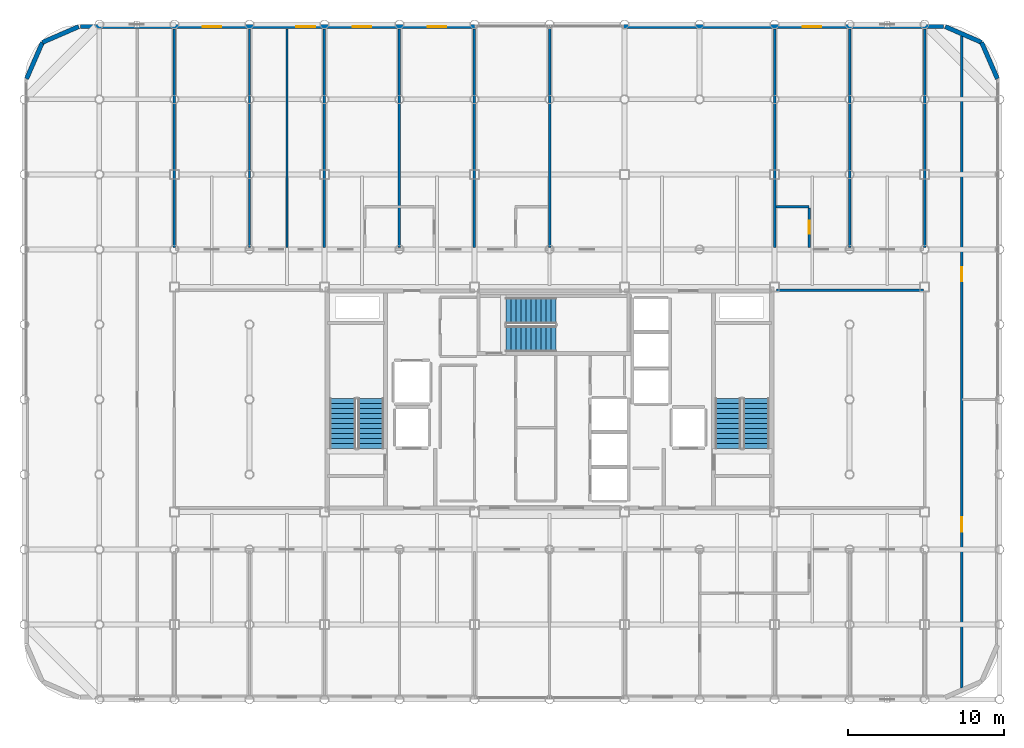
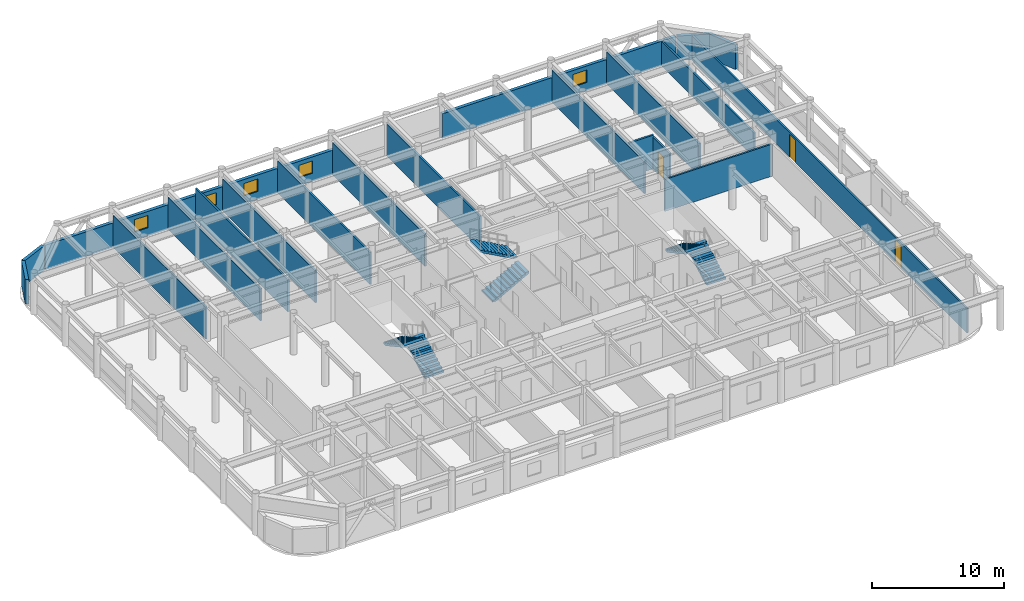
# One storey, part 21 of 22: 20 walls, 6 stair flights, 5 windows, 3 doors, 8 openings, 3 elements without a shape of their own.
"""IFC4 building model written with IfcOpenShell, lengths in metres."""

from ifc_helpers import new_model, si_unit, direction, frame, frame_2d, origin, place, context, subcontext, project, spatial, polyline, rectangle, outline, extrude, material, layer, layer_set, type_object, element, fill, aggregate, save


model = new_model("IFC4")

# Units and contexts
model_context = context("Model", 3, precision=1e-05, world=origin(), true_north=direction((0.0, 1.0)))
body_context = subcontext(model_context, "Body", "Model", "MODEL_VIEW")
ifc_project = project(units=[si_unit("LENGTHUNIT", "METRE"), si_unit("AREAUNIT", "SQUARE_METRE"), si_unit("VOLUMEUNIT", "CUBIC_METRE"), si_unit("PLANEANGLEUNIT", "RADIAN"), si_unit("MASSUNIT", "GRAM", prefix="KILO")], contexts=[model_context])

# Site, building, storey
site_placement = place(None, origin())
site = spatial("IfcSite", under=ifc_project, at=site_placement, CompositionType="ELEMENT")
building_placement = place(site_placement, origin())
building = spatial("IfcBuilding", under=site, at=building_placement, Name="Kallvorn Hotel Tower", CompositionType="ELEMENT")
storey_placement = place(building_placement, frame((0.0, 0.0, 256.949951171875)))
storey = spatial("IfcBuildingStorey", under=building, at=storey_placement, Name="L64", CompositionType="ELEMENT", Elevation=256.949951171875)

# Walls
ifc_material_1 = material(Name="Fire-rated double-layer acoustic gypsum drywall EI 60")
ifc_layer_1 = layer(ifc_material_1, 0.159912109375)
ifc_layer_set_1 = layer_set([ifc_layer_1], Name="WL_DEMISE_160")
wall_type_1 = type_object("IfcWallType", Name="WL_DEMISE_160", PredefinedType="PARTITIONING", material=ifc_layer_set_1)
wall_1_placement = place(storey_placement, frame((14.47998046875, 12.320068359375, 0.0), z_axis=(0.0, 0.0, 1.0), x_axis=(1.0, 0.0, 0.0)))
element("IfcWall", 1, at=wall_1_placement, inside=storey, type_object=wall_type_1, Name="L64 Suite 6406 Standard Twin Room Partition", PredefinedType="PARTITIONING", context=body_context, shape_type="SweptSolid", body=[
    extrude(rectangle(XDim=2.130126953125, YDim=0.159912109375, at=frame_2d((1.06494140625, 0.0))), origin(), (0.0, 0.0, 1.0), 3.1201171875),
])
for number, where, z_axis, x_axis, name in (
    (2, (-14.39990234375, 9.719970703125, 0.0), (0.0, 0.0, 1.0), (0.0, 1.0, 0.0), "L64 Suite 6403 Standard Twin Room Partition"),
    (3, (-9.60009765625, 9.719970703125, 0.0), (0.0, 0.0, 1.0), (0.0, 1.0, 0.0), "L64 Suite 6403 Standard Twin Room Partition"),
    (4, (-4.800048828125, 9.719970703125, 0.0), (0.0, 0.0, 1.0), (0.0, 1.0, 0.0), "L64 Suite 6404 Standard Twin Room Partition"),
):
    element("IfcWall", number, at=place(storey_placement, frame(where, z_axis=z_axis, x_axis=x_axis)), inside=storey, type_object=wall_type_1, Name=name, PredefinedType="PARTITIONING", context=body_context, shape_type="SweptSolid", body=[
        extrude(rectangle(XDim=13.989990234375, YDim=0.159912109375, at=frame_2d((6.9951171875, 0.0))), origin(), (0.0, 0.0, 1.0), 2.969970703125),
    ])
wall_2_placement = place(storey_placement, frame((0.0, 9.719970703125, 0.0), z_axis=(0.0, 0.0, 1.0), x_axis=(0.0, 1.0, 0.0)))
element("IfcWall", 5, at=wall_2_placement, inside=storey, type_object=wall_type_1, Name="L64 Suite 6405 Standard Twin Room Partition", PredefinedType="PARTITIONING", context=body_context, shape_type="SweptSolid", body=[
    extrude(rectangle(XDim=14.074951171875, YDim=0.159912109375, at=frame_2d((7.03759765625, 0.0))), origin(), (0.0, 0.0, 1.0), 2.969970703125),
])
wall_3_placement = place(storey_placement, frame((14.39990234375, 9.719970703125, 0.0), z_axis=(0.0, 0.0, 1.0), x_axis=(0.0, 1.0, 0.0)))
element("IfcWall", 6, at=wall_3_placement, inside=storey, type_object=wall_type_1, Name="L64 Suite 6406 Standard Twin Room Partition", PredefinedType="PARTITIONING", context=body_context, shape_type="SweptSolid", body=[
    extrude(rectangle(XDim=13.989990234375, YDim=0.159912109375, at=frame_2d((6.9951171875, 0.0))), origin(), (0.0, 0.0, 1.0), 2.969970703125),
])

# Wall, opening, door
wall_4_placement = place(storey_placement, frame((16.610107421875, 9.719970703125, 0.0), z_axis=(0.0, 0.0, 1.0), x_axis=(0.0, 1.0, 0.0)))
wall_4 = element("IfcWall", 7, at=wall_4_placement, inside=storey, type_object=wall_type_1, Name="L64 Suite 6406 Standard Twin Room Partition", PredefinedType="PARTITIONING", context=body_context, shape_type="SweptSolid", body=[
    extrude(rectangle(XDim=2.51513671875, YDim=0.159912109375, at=frame_2d((1.257568359375, 0.0))), origin(), (0.0, 0.0, 1.0), 2.969970703125),
])
opening_1_placement = place(wall_4_placement, frame((0.8701171875, 0.0, 0.0)))
opening_1 = element("IfcOpeningElement", 8, at=opening_1_placement, cuts=wall_4, Name="Opening BD-I", PredefinedType="OPENING", context=body_context, shape_type="SweptSolid", body=[
    extrude(rectangle(XDim=0.860107421875, YDim=2.10009765625, at=frame_2d((0.43017578125, 1.050048828125))), frame((0.0, 0.094970703125, 0.0), z_axis=(0.0, -1.0, 0.0), x_axis=(1.0, 0.0, 0.0)), (0.0, 0.0, 1.0), 0.18994140625),
])
ifc_material_2 = material(Name="Solid-core walnut veneer fire-rated timber door leaf", Category="wood")
door_type_1 = type_object("IfcDoorType", Name="DR_BATH_860x2100", OperationType="NOTDEFINED", PredefinedType="DOOR", material=ifc_material_2)
door_1_placement = place(opening_1_placement, origin())
door_1 = element("IfcDoor", 9, at=door_1_placement, inside=storey, type_object=door_type_1, Name="L64 Suite 6406 En-Suite Bathroom Door", OperationType="SINGLE_SWING_RIGHT", OverallHeight=2.10009765625, OverallWidth=0.860107421875, PredefinedType="DOOR", context=body_context, shape_type="SweptSolid", body=[
    extrude(rectangle(XDim=0.860107421875, YDim=2.10009765625, at=frame_2d((0.43017578125, 1.050048828125))), frame((0.0, 0.02490234375, 0.0), z_axis=(0.0, -1.0, 0.0), x_axis=(1.0, 0.0, 0.0)), (0.0, 0.0, 1.0), 0.050048828125),
])
fill(opening_1, door_1)

# Walls
wall_5_placement = place(storey_placement, frame((19.199951171875, 9.719970703125, 0.0), z_axis=(0.0, 0.0, 1.0), x_axis=(0.0, 1.0, 0.0)))
element("IfcWall", 10, at=wall_5_placement, inside=storey, type_object=wall_type_1, Name="L64 Suite 6406 Standard Twin Room Partition", PredefinedType="PARTITIONING", context=body_context, shape_type="SweptSolid", body=[
    extrude(rectangle(XDim=13.989990234375, YDim=0.159912109375, at=frame_2d((6.9951171875, 0.0))), origin(), (0.0, 0.0, 1.0), 2.969970703125),
])
ifc_material_3 = material(Name="Precast basalt-clad insulated concrete wall C40/50", Category="masonry")
ifc_layer_2 = layer(ifc_material_3, 0.280029296875)
ifc_layer_set_2 = layer_set([ifc_layer_2], Name="WL_EXT_LOGGIA_280")
wall_type_2 = type_object("IfcWallType", Name="WL_EXT_LOGGIA_280", PredefinedType="SOLIDWALL", material=ifc_layer_set_2)
wall_6_placement = place(storey_placement, frame((28.657958984375, 20.520751953125, 0.0), z_axis=(0.0, 0.0, 1.0), x_axis=(-0.398792985289, 0.917040977756, 0.0)))
element("IfcWall", 11, at=wall_6_placement, inside=storey, type_object=wall_type_2, Name="L64 Rounded Corner Exterior Wall NE1", PredefinedType="SOLIDWALL", context=body_context, shape_type="SweptSolid", body=[
    extrude(rectangle(XDim=2.536376953125, YDim=0.280029296875, at=frame_2d((1.26806640625, 0.0))), origin(), (0.0, 0.0, 1.0), 2.27001953125),
])
for number, where, z_axis, x_axis, name in (
    (12, (27.646484375, 22.8466796875, 0.0), (0.0, 0.0, 1.0), (-0.917060872934, 0.398747232384, 0.0), "L64 Rounded Corner Exterior Wall NE2"),
    (13, (-30.120849609375, 23.85791015625, 0.0), (0.0, 0.0, 1.0), (-0.917060872934, -0.398747232384, 0.0), "L64 Rounded Corner Exterior Wall NW1"),
):
    element("IfcWall", number, at=place(storey_placement, frame(where, z_axis=z_axis, x_axis=x_axis)), inside=storey, type_object=wall_type_2, Name=name, PredefinedType="SOLIDWALL", context=body_context, shape_type="SweptSolid", body=[
        extrude(rectangle(XDim=2.5361328125, YDim=0.280029296875, at=frame_2d((1.26806640625, 0.0))), origin(), (0.0, 0.0, 1.0), 2.27001953125),
    ])
wall_7_placement = place(storey_placement, frame((-32.446533203125, 22.8466796875, 0.0), z_axis=(0.0, 0.0, 1.0), x_axis=(-0.398792985289, -0.917040977756, 0.0)))
element("IfcWall", 14, at=wall_7_placement, inside=storey, type_object=wall_type_2, Name="L64 Rounded Corner Exterior Wall NW2", PredefinedType="SOLIDWALL", context=body_context, shape_type="SweptSolid", body=[
    extrude(rectangle(XDim=2.536376953125, YDim=0.280029296875, at=frame_2d((1.26806640625, 0.0))), origin(), (0.0, 0.0, 1.0), 2.27001953125),
])

# Wall, openings, windows
wall_8_placement = place(storey_placement, frame((-30.0, 23.860107421875, 0.0), z_axis=(0.0, 0.0, 1.0), x_axis=(1.0, 0.0, 0.0)))
wall_8 = element("IfcWall", 15, at=wall_8_placement, inside=storey, type_object=wall_type_2, Name="L64 Exterior Envelope Wall EW-L64-NW", PredefinedType="SOLIDWALL", context=body_context, shape_type="SweptSolid", body=[
    extrude(rectangle(XDim=25.25, YDim=0.280029296875, at=frame_2d((12.625, 0.0))), origin(), (0.0, 0.0, 1.0), 2.27001953125),
])
opening_2_placement = place(wall_8_placement, frame((7.800048828125, 0.0, 0.75)))
opening_2 = element("IfcOpeningElement", 16, at=opening_2_placement, cuts=wall_8, Name="Opening W06A", PredefinedType="OPENING", context=body_context, shape_type="SweptSolid", body=[
    extrude(rectangle(XDim=1.199951171875, YDim=1.14990234375, at=frame_2d((0.60009765625, 0.574951171875))), frame((0.0, 0.155029296875, 0.0), z_axis=(0.0, -1.0, 0.0), x_axis=(1.0, 0.0, 0.0)), (0.0, 0.0, 1.0), 0.31005859375),
])
opening_3_placement = place(wall_8_placement, frame((13.800048828125, 0.0, 0.75)))
opening_3 = element("IfcOpeningElement", 17, at=opening_3_placement, cuts=wall_8, Name="Opening W06A", PredefinedType="OPENING", context=body_context, shape_type="SweptSolid", body=[
    extrude(rectangle(XDim=1.199951171875, YDim=1.14990234375, at=frame_2d((0.60009765625, 0.574951171875))), frame((0.0, 0.155029296875, 0.0), z_axis=(0.0, -1.0, 0.0), x_axis=(1.0, 0.0, 0.0)), (0.0, 0.0, 1.0), 0.31005859375),
])
opening_4_placement = place(wall_8_placement, frame((17.39990234375, 0.0, 0.75)))
opening_4 = element("IfcOpeningElement", 18, at=opening_4_placement, cuts=wall_8, Name="Opening W06A", PredefinedType="OPENING", context=body_context, shape_type="SweptSolid", body=[
    extrude(rectangle(XDim=1.199951171875, YDim=1.14990234375, at=frame_2d((0.60009765625, 0.574951171875))), frame((0.0, 0.155029296875, 0.0), z_axis=(0.0, -1.0, 0.0), x_axis=(1.0, 0.0, 0.0)), (0.0, 0.0, 1.0), 0.31005859375),
])
opening_5_placement = place(wall_8_placement, frame((22.199951171875, 0.0, 0.75)))
opening_5 = element("IfcOpeningElement", 19, at=opening_5_placement, cuts=wall_8, Name="Opening W06A", PredefinedType="OPENING", context=body_context, shape_type="SweptSolid", body=[
    extrude(rectangle(XDim=1.199951171875, YDim=1.14990234375, at=frame_2d((0.60009765625, 0.574951171875))), frame((0.0, 0.155029296875, 0.0), z_axis=(0.0, -1.0, 0.0), x_axis=(1.0, 0.0, 0.0)), (0.0, 0.0, 1.0), 0.31005859375),
])
ifc_material_4 = material(Name="Triple-glazed low-e acoustic solar-control dark glass", Category="glass")
window_type = type_object("IfcWindowType", Name="WN_HTL_1200x1150", PartitioningType="SINGLE_PANEL", PredefinedType="WINDOW", material=ifc_material_4)
window_1_placement = place(opening_2_placement, origin())
window_1 = element("IfcWindow", 20, at=window_1_placement, inside=storey, type_object=window_type, Name="L64 Guestroom Exterior Window 02", OverallHeight=1.14990234375, OverallWidth=1.199951171875, PartitioningType="SINGLE_PANEL", PredefinedType="WINDOW", context=body_context, shape_type="SweptSolid", body=[
    extrude(rectangle(XDim=1.199951171875, YDim=1.14990234375, at=frame_2d((0.60009765625, 0.574951171875))), frame((0.0, 0.030029296875, 0.0), z_axis=(0.0, -1.0, 0.0), x_axis=(1.0, 0.0, 0.0)), (0.0, 0.0, 1.0), 0.06005859375),
])
fill(opening_2, window_1)
window_2_placement = place(opening_3_placement, origin())
window_2 = element("IfcWindow", 21, at=window_2_placement, inside=storey, type_object=window_type, Name="L64 Guestroom Exterior Window 10", OverallHeight=1.14990234375, OverallWidth=1.199951171875, PartitioningType="SINGLE_PANEL", PredefinedType="WINDOW", context=body_context, shape_type="SweptSolid", body=[
    extrude(rectangle(XDim=1.199951171875, YDim=1.14990234375, at=frame_2d((0.60009765625, 0.574951171875))), frame((0.0, 0.030029296875, 0.0), z_axis=(0.0, -1.0, 0.0), x_axis=(1.0, 0.0, 0.0)), (0.0, 0.0, 1.0), 0.06005859375),
])
fill(opening_3, window_2)
window_3_placement = place(opening_4_placement, origin())
window_3 = element("IfcWindow", 22, at=window_3_placement, inside=storey, type_object=window_type, Name="L64 Guestroom Exterior Window 11", OverallHeight=1.14990234375, OverallWidth=1.199951171875, PartitioningType="SINGLE_PANEL", PredefinedType="WINDOW", context=body_context, shape_type="SweptSolid", body=[
    extrude(rectangle(XDim=1.199951171875, YDim=1.14990234375, at=frame_2d((0.60009765625, 0.574951171875))), frame((0.0, 0.030029296875, 0.0), z_axis=(0.0, -1.0, 0.0), x_axis=(1.0, 0.0, 0.0)), (0.0, 0.0, 1.0), 0.06005859375),
])
fill(opening_4, window_3)
window_4_placement = place(opening_5_placement, origin())
window_4 = element("IfcWindow", 23, at=window_4_placement, inside=storey, type_object=window_type, Name="L64 Guestroom Exterior Window 12", OverallHeight=1.14990234375, OverallWidth=1.199951171875, PartitioningType="SINGLE_PANEL", PredefinedType="WINDOW", context=body_context, shape_type="SweptSolid", body=[
    extrude(rectangle(XDim=1.199951171875, YDim=1.14990234375, at=frame_2d((0.60009765625, 0.574951171875))), frame((0.0, 0.030029296875, 0.0), z_axis=(0.0, -1.0, 0.0), x_axis=(1.0, 0.0, 0.0)), (0.0, 0.0, 1.0), 0.06005859375),
])
fill(opening_5, window_4)

# Wall, opening, window
wall_9_placement = place(storey_placement, frame((4.75, 23.860107421875, 0.0), z_axis=(0.0, 0.0, 1.0), x_axis=(1.0, 0.0, 0.0)))
wall_9 = element("IfcWall", 24, at=wall_9_placement, inside=storey, type_object=wall_type_2, Name="L64 Exterior Envelope Wall EW-L64-NE", PredefinedType="SOLIDWALL", context=body_context, shape_type="SweptSolid", body=[
    extrude(rectangle(XDim=20.449951171875, YDim=0.280029296875, at=frame_2d((10.22509765625, 0.0))), origin(), (0.0, 0.0, 1.0), 2.27001953125),
])
opening_6_placement = place(wall_9_placement, frame((11.449951171875, 0.0, 0.75)))
opening_6 = element("IfcOpeningElement", 25, at=opening_6_placement, cuts=wall_9, Name="Opening W06A", PredefinedType="OPENING", context=body_context, shape_type="SweptSolid", body=[
    extrude(rectangle(XDim=1.199951171875, YDim=1.14990234375, at=frame_2d((0.60009765625, 0.574951171875))), frame((0.0, 0.155029296875, 0.0), z_axis=(0.0, -1.0, 0.0), x_axis=(1.0, 0.0, 0.0)), (0.0, 0.0, 1.0), 0.31005859375),
])
window_5_placement = place(opening_6_placement, origin())
window_5 = element("IfcWindow", 26, at=window_5_placement, inside=storey, type_object=window_type, Name="L64 Guestroom Exterior Window 13", OverallHeight=1.14990234375, OverallWidth=1.199951171875, PartitioningType="SINGLE_PANEL", PredefinedType="WINDOW", context=body_context, shape_type="SweptSolid", body=[
    extrude(rectangle(XDim=1.199951171875, YDim=1.14990234375, at=frame_2d((0.60009765625, 0.574951171875))), frame((0.0, 0.030029296875, 0.0), z_axis=(0.0, -1.0, 0.0), x_axis=(1.0, 0.0, 0.0)), (0.0, 0.0, 1.0), 0.06005859375),
])
fill(opening_6, window_5)

# Walls
ifc_material_5 = material(Name="Fire-rated double-layer acoustic gypsum drywall EI 60")
ifc_layer_3 = layer(ifc_material_5, 0.14990234375)
ifc_layer_set_3 = layer_set([ifc_layer_3], Name="WL_PART_150")
wall_type_3 = type_object("IfcWallType", Name="WL_PART_150", PredefinedType="PARTITIONING", material=ifc_layer_set_3)
wall_10_placement = place(storey_placement, frame((14.52001953125, 6.97998046875, 0.0), z_axis=(0.0, 0.0, 1.0), x_axis=(1.0, 0.0, 0.0)))
element("IfcWall", 27, at=wall_10_placement, inside=storey, type_object=wall_type_3, Name="L64 L64 High-Zone Inner East Club Gallery Partition", PredefinedType="PARTITIONING", context=body_context, shape_type="SweptSolid", body=[
    extrude(rectangle(XDim=9.39990234375, YDim=0.14990234375, at=frame_2d((4.699951171875, 0.0))), origin(), (0.0, 0.0, 1.0), 2.969970703125),
])
for number, where, z_axis, x_axis, name in (
    (28, (-24.0, 9.719970703125, 0.0), (0.0, 0.0, 1.0), (0.0, 1.0, 0.0), "L64 L64 High-Zone North-West Reading Salon Partition"),
    (29, (-19.199951171875, 9.719970703125, 0.0), (0.0, 0.0, 1.0), (0.0, 1.0, 0.0), "L64 Housekeeping and Linen Room Partition"),
    (30, (-16.800048828125, 9.719970703125, 0.0), (0.0, 0.0, 1.0), (0.0, 1.0, 0.0), "L64 Guest Tea and Refreshment Bar Partition"),
):
    element("IfcWall", number, at=place(storey_placement, frame(where, z_axis=z_axis, x_axis=x_axis)), inside=storey, type_object=wall_type_3, Name=name, PredefinedType="PARTITIONING", context=body_context, shape_type="SweptSolid", body=[
        extrude(rectangle(XDim=13.989990234375, YDim=0.14990234375, at=frame_2d((6.9951171875, 0.0))), origin(), (0.0, 0.0, 1.0), 2.969970703125),
    ])
wall_11_placement = place(storey_placement, frame((24.0, 9.719970703125, 0.0), z_axis=(0.0, 0.0, 1.0), x_axis=(0.0, 1.0, 0.0)))
element("IfcWall", 31, at=wall_11_placement, inside=storey, type_object=wall_type_3, Name="L64 L64 High-Zone North-East Pastry Bar Partition", PredefinedType="PARTITIONING", context=body_context, shape_type="SweptSolid", body=[
    extrude(rectangle(XDim=13.989990234375, YDim=0.14990234375, at=frame_2d((6.9951171875, 0.0))), origin(), (0.0, 0.0, 1.0), 2.27001953125),
])

# Wall, openings, doors
wall_12_placement = place(storey_placement, frame((26.3798828125, -18.447265625, 0.0), z_axis=(0.0, 0.0, 1.0), x_axis=(0.0, 1.0, 0.0)))
wall_12 = element("IfcWall", 32, at=wall_12_placement, inside=storey, type_object=wall_type_3, Name="L64 L64 Outer East South Tasting Bar Partition", PredefinedType="PARTITIONING", context=body_context, shape_type="SweptSolid", body=[
    extrude(rectangle(XDim=41.694580078125, YDim=0.14990234375, at=frame_2d((20.84716796875, 0.0))), origin(), (0.0, 0.0, 1.0), 2.27001953125),
])
opening_7_placement = place(wall_12_placement, frame((9.997314453125, 0.0, 0.0)))
opening_7 = element("IfcOpeningElement", 33, at=opening_7_placement, cuts=wall_12, Name="Opening SVD1", PredefinedType="OPENING", context=body_context, shape_type="SweptSolid", body=[
    extrude(rectangle(XDim=0.89990234375, YDim=2.10009765625, at=frame_2d((0.449951171875, 1.050048828125))), frame((0.0, 0.08984375, 0.0), z_axis=(0.0, -1.0, 0.0), x_axis=(1.0, 0.0, 0.0)), (0.0, 0.0, 1.0), 0.179931640625),
])
opening_8_placement = place(wall_12_placement, frame((25.997314453125, 0.0, 0.0)))
opening_8 = element("IfcOpeningElement", 34, at=opening_8_placement, cuts=wall_12, Name="Opening SVD1", PredefinedType="OPENING", context=body_context, shape_type="SweptSolid", body=[
    extrude(rectangle(XDim=0.89990234375, YDim=2.10009765625, at=frame_2d((0.449951171875, 1.050048828125))), frame((0.0, 0.08984375, 0.0), z_axis=(0.0, -1.0, 0.0), x_axis=(1.0, 0.0, 0.0)), (0.0, 0.0, 1.0), 0.179931640625),
])
ifc_material_6 = material(Name="Galvanised painted steel fire-rated door assembly", Category="steel")
door_type_2 = type_object("IfcDoorType", Name="DR_SERV_900x2100", OperationType="NOTDEFINED", PredefinedType="DOOR", material=ifc_material_6)
door_2_placement = place(opening_7_placement, origin())
door_2 = element("IfcDoor", 35, at=door_2_placement, inside=storey, type_object=door_type_2, Name="L64 L64 Outer East South Tasting Bar Door", OperationType="SINGLE_SWING_RIGHT", OverallHeight=2.10009765625, OverallWidth=0.89990234375, PredefinedType="DOOR", context=body_context, shape_type="SweptSolid", body=[
    extrude(rectangle(XDim=0.89990234375, YDim=2.10009765625, at=frame_2d((0.449951171875, 1.050048828125))), frame((0.0, 0.02490234375, 0.0), z_axis=(0.0, -1.0, 0.0), x_axis=(1.0, 0.0, 0.0)), (0.0, 0.0, 1.0), 0.050048828125),
])
fill(opening_7, door_2)
door_3_placement = place(opening_8_placement, origin())
door_3 = element("IfcDoor", 36, at=door_3_placement, inside=storey, type_object=door_type_2, Name="L64 L64 Outer East North Collectors Gallery Door", OperationType="SINGLE_SWING_RIGHT", OverallHeight=2.10009765625, OverallWidth=0.89990234375, PredefinedType="DOOR", context=body_context, shape_type="SweptSolid", body=[
    extrude(rectangle(XDim=0.89990234375, YDim=2.10009765625, at=frame_2d((0.449951171875, 1.050048828125))), frame((0.0, 0.02490234375, 0.0), z_axis=(0.0, -1.0, 0.0), x_axis=(1.0, 0.0, 0.0)), (0.0, 0.0, 1.0), 0.050048828125),
])
fill(opening_8, door_3)

# Stair, stair flights
ifc_material_7 = material(Name="Precast concrete C40/50", Category="concrete")
stair_type = type_object("IfcStairType", Name="STR_CORE_DOGLEG", PredefinedType="HALF_TURN_STAIR", material=ifc_material_7)
stair_1_placement = place(storey_placement, origin())
stair_1 = element("IfcStair", 37, at=stair_1_placement, inside=storey, type_object=stair_type, Name="L64 Exit stair ST1", PredefinedType="HALF_TURN_STAIR")
ifc_material_8 = material(Name="Precast concrete C40/50", Category="concrete")
stair_flight_type = type_object("IfcStairFlightType", Name="FLT_CORE_1660", PredefinedType="STRAIGHT", material=ifc_material_8)
stair_flight_1_placement = place(storey_placement, frame((-11.429931640625, -3.139892578125, 0.0), z_axis=(0.0, 0.0, 1.0), x_axis=(0.0, 1.0, 0.0)))
stair_flight_1 = element("IfcStairFlight", 38, at=stair_flight_1_placement, type_object=stair_flight_type, Name="ST1 flight 1", NumberOfRisers=11, NumberOfTreads=10, PredefinedType="STRAIGHT", RiserHeight=0.175, TreadLength=0.32, context=body_context, shape_type="SweptSolid", body=[
    extrude(outline(polyline([(0.0, 0.0), (0.0, 0.175048828125), (0.320068359375, 0.175048828125), (0.320068359375, 0.35009765625), (0.639892578125, 0.35009765625), (0.639892578125, 0.52490234375), (0.9599609375, 0.52490234375), (0.9599609375, 0.699951171875), (1.280029296875, 0.699951171875), (1.280029296875, 0.875), (1.60009765625, 0.875), (1.60009765625, 1.050048828125), (1.919921875, 1.050048828125), (1.919921875, 1.22509765625), (2.239990234375, 1.22509765625), (2.239990234375, 1.39990234375), (2.56005859375, 1.39990234375), (2.56005859375, 1.574951171875), (2.8798828125, 1.574951171875), (2.8798828125, 1.75), (3.199951171875, 1.75), (3.199951171875, 1.925048828125), (3.199951171875, 1.5791015625), (0.3125, 0.0), (0.0, 0.0)])), frame((0.0, 0.830078125, 0.0), z_axis=(0.0, -1.0, 0.0), x_axis=(1.0, 0.0, 0.0)), (0.0, 0.0, 1.0), 1.659912109375),
])
stair_flight_2_placement = place(storey_placement, frame((-13.22998046875, 0.06005859375, 1.925048828125), z_axis=(0.0, 0.0, 1.0), x_axis=(0.0, -1.0, 0.0)))
stair_flight_2 = element("IfcStairFlight", 39, at=stair_flight_2_placement, type_object=stair_flight_type, Name="ST1 flight 2", NumberOfRisers=11, NumberOfTreads=10, PredefinedType="STRAIGHT", RiserHeight=0.175, TreadLength=0.32, context=body_context, shape_type="SweptSolid", body=[
    extrude(outline(polyline([(0.0, 0.0), (0.0, 0.175048828125), (0.320068359375, 0.175048828125), (0.320068359375, 0.35009765625), (0.639892578125, 0.35009765625), (0.639892578125, 0.52490234375), (0.9599609375, 0.52490234375), (0.9599609375, 0.699951171875), (1.280029296875, 0.699951171875), (1.280029296875, 0.875), (1.60009765625, 0.875), (1.60009765625, 1.050048828125), (1.919921875, 1.050048828125), (1.919921875, 1.22509765625), (2.239990234375, 1.22509765625), (2.239990234375, 1.39990234375), (2.56005859375, 1.39990234375), (2.56005859375, 1.574951171875), (2.8798828125, 1.574951171875), (2.8798828125, 1.75), (3.199951171875, 1.75), (3.199951171875, 1.925048828125), (3.199951171875, 1.5791015625), (0.3125, 0.0), (0.0, 0.0)])), frame((0.0, 0.830078125, 0.0), z_axis=(0.0, -1.0, 0.0), x_axis=(1.0, 0.0, 0.0)), (0.0, 0.0, 1.0), 1.659912109375),
])
aggregate(stair_1, [stair_flight_1, stair_flight_2])

stair_2_placement = place(storey_placement, origin())
stair_2 = element("IfcStair", 40, at=stair_2_placement, inside=storey, type_object=stair_type, Name="L64 Exit stair ST2", PredefinedType="HALF_TURN_STAIR")
stair_flight_3_placement = place(storey_placement, frame((13.22998046875, -3.139892578125, 0.0), z_axis=(0.0, 0.0, 1.0), x_axis=(0.0, 1.0, 0.0)))
stair_flight_3 = element("IfcStairFlight", 41, at=stair_flight_3_placement, type_object=stair_flight_type, Name="ST2 flight 1", NumberOfRisers=11, NumberOfTreads=10, PredefinedType="STRAIGHT", RiserHeight=0.175, TreadLength=0.32, context=body_context, shape_type="SweptSolid", body=[
    extrude(outline(polyline([(0.0, 0.0), (0.0, 0.175048828125), (0.320068359375, 0.175048828125), (0.320068359375, 0.35009765625), (0.639892578125, 0.35009765625), (0.639892578125, 0.52490234375), (0.9599609375, 0.52490234375), (0.9599609375, 0.699951171875), (1.280029296875, 0.699951171875), (1.280029296875, 0.875), (1.60009765625, 0.875), (1.60009765625, 1.050048828125), (1.919921875, 1.050048828125), (1.919921875, 1.22509765625), (2.239990234375, 1.22509765625), (2.239990234375, 1.39990234375), (2.56005859375, 1.39990234375), (2.56005859375, 1.574951171875), (2.8798828125, 1.574951171875), (2.8798828125, 1.75), (3.199951171875, 1.75), (3.199951171875, 1.925048828125), (3.199951171875, 1.5791015625), (0.3125, 0.0), (0.0, 0.0)])), frame((0.0, 0.830078125, 0.0), z_axis=(0.0, -1.0, 0.0), x_axis=(1.0, 0.0, 0.0)), (0.0, 0.0, 1.0), 1.659912109375),
])
stair_flight_4_placement = place(storey_placement, frame((11.429931640625, 0.06005859375, 1.925048828125), z_axis=(0.0, 0.0, 1.0), x_axis=(0.0, -1.0, 0.0)))
stair_flight_4 = element("IfcStairFlight", 42, at=stair_flight_4_placement, type_object=stair_flight_type, Name="ST2 flight 2", NumberOfRisers=11, NumberOfTreads=10, PredefinedType="STRAIGHT", RiserHeight=0.175, TreadLength=0.32, context=body_context, shape_type="SweptSolid", body=[
    extrude(outline(polyline([(0.0, 0.0), (0.0, 0.175048828125), (0.320068359375, 0.175048828125), (0.320068359375, 0.35009765625), (0.639892578125, 0.35009765625), (0.639892578125, 0.52490234375), (0.9599609375, 0.52490234375), (0.9599609375, 0.699951171875), (1.280029296875, 0.699951171875), (1.280029296875, 0.875), (1.60009765625, 0.875), (1.60009765625, 1.050048828125), (1.919921875, 1.050048828125), (1.919921875, 1.22509765625), (2.239990234375, 1.22509765625), (2.239990234375, 1.39990234375), (2.56005859375, 1.39990234375), (2.56005859375, 1.574951171875), (2.8798828125, 1.574951171875), (2.8798828125, 1.75), (3.199951171875, 1.75), (3.199951171875, 1.925048828125), (3.199951171875, 1.5791015625), (0.3125, 0.0), (0.0, 0.0)])), frame((0.0, 0.830078125, 0.0), z_axis=(0.0, -1.0, 0.0), x_axis=(1.0, 0.0, 0.0)), (0.0, 0.0, 1.0), 1.659912109375),
])
aggregate(stair_2, [stair_flight_3, stair_flight_4])

stair_3_placement = place(storey_placement, origin())
stair_3 = element("IfcStair", 43, at=stair_3_placement, inside=storey, type_object=stair_type, Name="L64 Exit stair ST3", PredefinedType="HALF_TURN_STAIR")
stair_flight_5_placement = place(storey_placement, frame((-2.7900390625, 3.8798828125, 0.0), z_axis=(0.0, 0.0, 1.0), x_axis=(1.0, 0.0, 0.0)))
stair_flight_5 = element("IfcStairFlight", 44, at=stair_flight_5_placement, type_object=stair_flight_type, Name="ST3 flight 1", NumberOfRisers=11, NumberOfTreads=10, PredefinedType="STRAIGHT", RiserHeight=0.175, TreadLength=0.32, context=body_context, shape_type="SweptSolid", body=[
    extrude(outline(polyline([(0.0, 0.0), (0.0, 0.175048828125), (0.320068359375, 0.175048828125), (0.320068359375, 0.35009765625), (0.639892578125, 0.35009765625), (0.639892578125, 0.52490234375), (0.9599609375, 0.52490234375), (0.9599609375, 0.699951171875), (1.280029296875, 0.699951171875), (1.280029296875, 0.875), (1.60009765625, 0.875), (1.60009765625, 1.050048828125), (1.919921875, 1.050048828125), (1.919921875, 1.22509765625), (2.239990234375, 1.22509765625), (2.239990234375, 1.39990234375), (2.56005859375, 1.39990234375), (2.56005859375, 1.574951171875), (2.8798828125, 1.574951171875), (2.8798828125, 1.75), (3.199951171875, 1.75), (3.199951171875, 1.925048828125), (3.199951171875, 1.5791015625), (0.3125, 0.0), (0.0, 0.0)])), frame((0.0, 0.830078125, 0.0), z_axis=(0.0, -1.0, 0.0), x_axis=(1.0, 0.0, 0.0)), (0.0, 0.0, 1.0), 1.659912109375),
])
stair_flight_6_placement = place(storey_placement, frame((0.409912109375, 5.679931640625, 1.925048828125), z_axis=(0.0, 0.0, 1.0), x_axis=(-1.0, 0.0, 0.0)))
stair_flight_6 = element("IfcStairFlight", 45, at=stair_flight_6_placement, type_object=stair_flight_type, Name="ST3 flight 2", NumberOfRisers=11, NumberOfTreads=10, PredefinedType="STRAIGHT", RiserHeight=0.175, TreadLength=0.32, context=body_context, shape_type="SweptSolid", body=[
    extrude(outline(polyline([(0.0, 0.0), (0.0, 0.175048828125), (0.320068359375, 0.175048828125), (0.320068359375, 0.35009765625), (0.639892578125, 0.35009765625), (0.639892578125, 0.52490234375), (0.9599609375, 0.52490234375), (0.9599609375, 0.699951171875), (1.280029296875, 0.699951171875), (1.280029296875, 0.875), (1.60009765625, 0.875), (1.60009765625, 1.050048828125), (1.919921875, 1.050048828125), (1.919921875, 1.22509765625), (2.239990234375, 1.22509765625), (2.239990234375, 1.39990234375), (2.56005859375, 1.39990234375), (2.56005859375, 1.574951171875), (2.8798828125, 1.574951171875), (2.8798828125, 1.75), (3.199951171875, 1.75), (3.199951171875, 1.925048828125), (3.199951171875, 1.5791015625), (0.3125, 0.0), (0.0, 0.0)])), frame((0.0, 0.830078125, 0.0), z_axis=(0.0, -1.0, 0.0), x_axis=(1.0, 0.0, 0.0)), (0.0, 0.0, 1.0), 1.659912109375),
])
aggregate(stair_3, [stair_flight_5, stair_flight_6])

save(model, "model.ifc")
